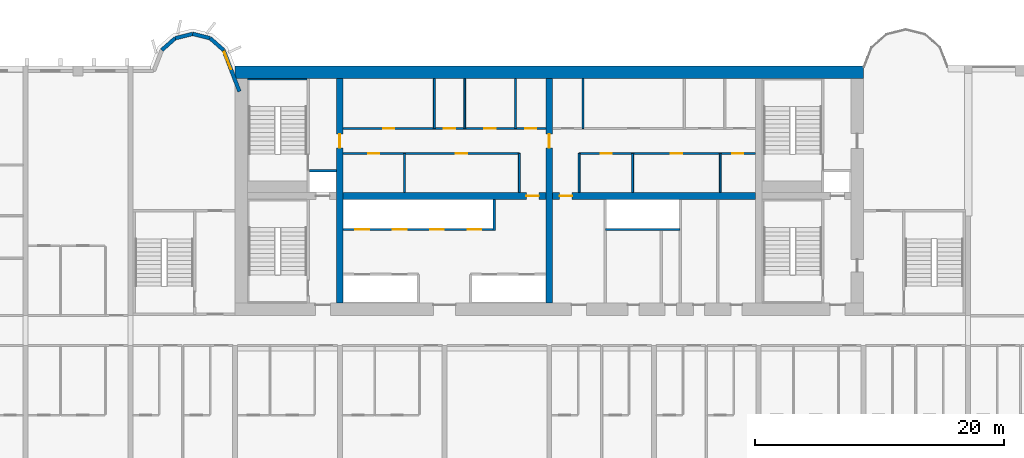
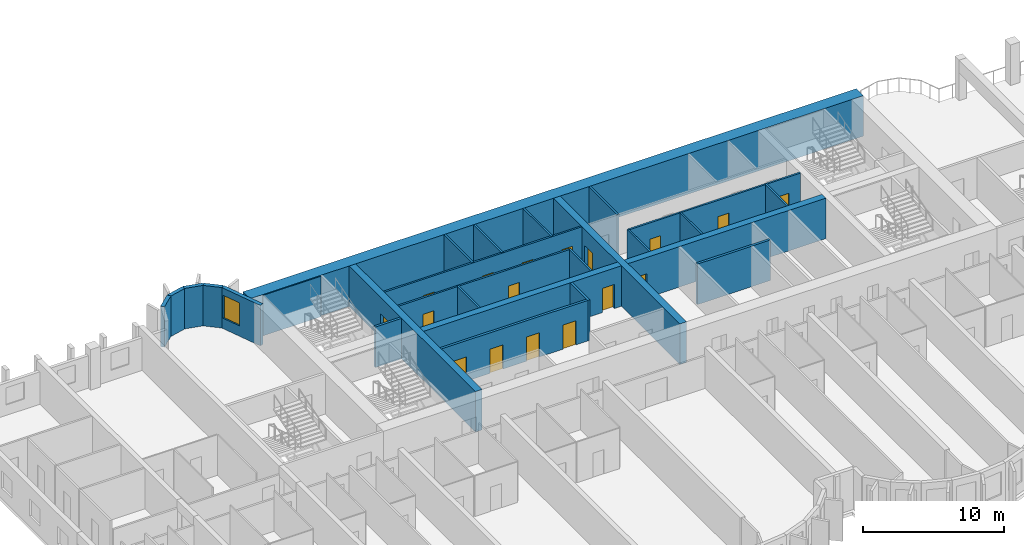
# One storey, part 7 of 14: 27 walls, 17 doors, 1 window, 18 openings.
"""IFC4 building model written with IfcOpenShell, lengths in metres."""

from ifc_helpers import new_model, si_unit, direction, frame, frame_2d, origin, place, context, subcontext, project, spatial, rectangle, extrude, source, transform, mapped, material, layer, layer_set, type_object, element, fill, save


model = new_model("IFC4")

# Units and contexts
model_context = context("Model", 3, precision=1e-05, world=origin(), true_north=direction((0.0, 1.0)))
body_context = subcontext(model_context, "Body", "Model", "MODEL_VIEW")
ifc_project = project(units=[si_unit("LENGTHUNIT", "METRE"), si_unit("AREAUNIT", "SQUARE_METRE"), si_unit("VOLUMEUNIT", "CUBIC_METRE"), si_unit("PLANEANGLEUNIT", "RADIAN"), si_unit("MASSUNIT", "GRAM", prefix="KILO")], contexts=[model_context])

# Site, building, storey
site_placement = place(None, origin())
site = spatial("IfcSite", under=ifc_project, at=site_placement, CompositionType="ELEMENT")
building_placement = place(site_placement, origin())
building = spatial("IfcBuilding", under=site, at=building_placement, Name="Vanashikhar Sky Hotel", CompositionType="ELEMENT")
storey_placement = place(building_placement, frame((0.0, 0.0, 58.199951171875)))
storey = spatial("IfcBuildingStorey", under=building, at=storey_placement, Name="L13", CompositionType="ELEMENT", Elevation=58.199951171875)

# Wall
ifc_material_1 = material(Name="Concrete M80", Category="concrete")
ifc_layer_1 = layer(ifc_material_1, 1.0)
ifc_layer_set_1 = layer_set([ifc_layer_1], Name="RC core shell wall 1000 Concrete M80")
wall_type_1 = type_object("IfcWallType", Name="RC core shell wall 1000 Concrete M80", PredefinedType="SHEAR", material=ifc_layer_set_1)
shared_shape_1 = source(origin(), body_context, "Body", "SweptSolid", [
    extrude(rectangle(XDim=50.400146484375, YDim=1.0, at=frame_2d((25.2001953125, 0.0))), origin(), (0.0, 0.0, 1.0), 3.52001953125),
])
wall_1_placement = place(storey_placement, frame((25.199951171875, 41.5, 0.0), z_axis=(0.0, 0.0, 1.0), x_axis=(1.0, 0.0, 0.0)))
element("IfcWall", 1, at=wall_1_placement, inside=storey, type_object=wall_type_1, Name="KW-L13-KN", PredefinedType="SHEAR", context=body_context, shape_type="MappedRepresentation", body=[
    mapped(shared_shape_1, transform((0.0, 0.0, 0.0), scale=1.0)),
])

# Wall, opening, door
ifc_layer_2 = layer(ifc_material_1, 0.550048828125)
ifc_layer_set_2 = layer_set([ifc_layer_2], Name="RC core inner wall 550 Concrete M80")
wall_type_2 = type_object("IfcWallType", Name="RC core inner wall 550 Concrete M80", PredefinedType="SHEAR", material=ifc_layer_set_2)
shared_shape_2 = source(origin(), body_context, "Body", "SweptSolid", [
    extrude(rectangle(XDim=18.0, YDim=0.550048828125, at=frame_2d((9.0, 0.0))), origin(), (0.0, 0.0, 1.0), 3.52001953125),
])
wall_2_placement = place(storey_placement, frame((33.60009765625, 23.0, 0.0), z_axis=(0.0, 0.0, 1.0), x_axis=(0.0, 1.0, 0.0)))
wall_2 = element("IfcWall", 2, at=wall_2_placement, inside=storey, type_object=wall_type_2, Name="KW-L13-KX1", PredefinedType="SHEAR", context=body_context, shape_type="MappedRepresentation", body=[
    mapped(shared_shape_2, transform((0.0, 0.0, 0.0), scale=1.0)),
])
shared_shape_3 = source(origin(), body_context, "Body", "SweptSolid", [
    extrude(rectangle(XDim=1.10009765625, YDim=2.10009765625, at=frame_2d((0.550048828125, 1.050048828125))), frame((0.0, 0.28515625, 0.0), z_axis=(0.0, -1.0, 0.0), x_axis=(1.0, 0.0, 0.0)), (0.0, 0.0, 1.0), 0.570068359375),
])
opening_1_placement = place(wall_2_placement, frame((12.449951171875, 0.0, 0.0)))
opening_1 = element("IfcOpeningElement", 3, at=opening_1_placement, cuts=wall_2, Name="Opening DC-4-C", PredefinedType="OPENING", context=body_context, shape_type="MappedRepresentation", body=[
    mapped(shared_shape_3, transform((0.0, 0.0, 0.0), scale=1.0)),
])
ifc_material_2 = material(Name="Steel", Category="steel")
door_type_1 = type_object("IfcDoorType", Name="Service door 1100 FD60", OperationType="NOTDEFINED", PredefinedType="DOOR", material=ifc_material_2)
shared_shape_4 = source(origin(), body_context, "Body", "SweptSolid", [
    extrude(rectangle(XDim=1.10009765625, YDim=2.10009765625, at=frame_2d((0.550048828125, 1.050048828125))), frame((0.0, 0.02490234375, 0.0), z_axis=(0.0, -1.0, 0.0), x_axis=(1.0, 0.0, 0.0)), (0.0, 0.0, 1.0), 0.050048828125),
])
door_1_placement = place(opening_1_placement, origin())
door_1 = element("IfcDoor", 4, at=door_1_placement, inside=storey, type_object=door_type_1, Name="Service door 1100 FD60", OperationType="SINGLE_SWING_RIGHT", OverallHeight=2.10009765625, OverallWidth=1.10009765625, PredefinedType="DOOR", context=body_context, shape_type="MappedRepresentation", body=[
    mapped(shared_shape_4, transform((0.0, 0.0, 0.0), scale=1.0)),
])
fill(opening_1, door_1)

wall_3_placement = place(storey_placement, frame((50.39990234375, 23.0, 0.0), z_axis=(0.0, 0.0, 1.0), x_axis=(0.0, 1.0, 0.0)))
wall_3 = element("IfcWall", 5, at=wall_3_placement, inside=storey, type_object=wall_type_2, Name="KW-L13-KX2", PredefinedType="SHEAR", context=body_context, shape_type="MappedRepresentation", body=[
    mapped(shared_shape_2, transform((0.0, 0.0, 0.0), scale=1.0)),
])
opening_2_placement = place(wall_3_placement, frame((12.449951171875, 0.0, 0.0)))
opening_2 = element("IfcOpeningElement", 6, at=opening_2_placement, cuts=wall_3, Name="Opening DC-4-C", PredefinedType="OPENING", context=body_context, shape_type="MappedRepresentation", body=[
    mapped(shared_shape_3, transform((0.0, 0.0, 0.0), scale=1.0)),
])
door_2_placement = place(opening_2_placement, origin())
door_2 = element("IfcDoor", 7, at=door_2_placement, inside=storey, type_object=door_type_1, Name="Service door 1100 FD60", OperationType="SINGLE_SWING_LEFT", OverallHeight=2.10009765625, OverallWidth=1.10009765625, PredefinedType="DOOR", context=body_context, shape_type="MappedRepresentation", body=[
    mapped(shared_shape_4, transform((0.0, 0.0, 0.0), scale=1.0)),
])
fill(opening_2, door_2)

shared_shape_5 = source(origin(), body_context, "Body", "SweptSolid", [
    extrude(rectangle(XDim=16.25, YDim=0.550048828125, at=frame_2d((8.125, 0.0))), origin(), (0.0, 0.0, 1.0), 3.52001953125),
])
wall_4_placement = place(storey_placement, frame((33.875, 31.60009765625, 0.0), z_axis=(0.0, 0.0, 1.0), x_axis=(1.0, 0.0, 0.0)))
wall_4 = element("IfcWall", 8, at=wall_4_placement, inside=storey, type_object=wall_type_2, Name="KW-L13-KY2", PredefinedType="SHEAR", context=body_context, shape_type="MappedRepresentation", body=[
    mapped(shared_shape_5, transform((0.0, 0.0, 0.0), scale=1.0)),
])
shared_shape_6 = source(origin(), body_context, "Body", "SweptSolid", [
    extrude(rectangle(XDim=1.0, YDim=2.10009765625, at=frame_2d((0.5, 1.050048828125))), frame((0.0, 0.28515625, 0.0), z_axis=(0.0, -1.0, 0.0), x_axis=(1.0, 0.0, 0.0)), (0.0, 0.0, 1.0), 0.570068359375),
])
opening_3_placement = place(wall_4_placement, frame((14.68701171875, 0.0, 0.0)))
opening_3 = element("IfcOpeningElement", 9, at=opening_3_placement, cuts=wall_4, Name="Opening DC-4", PredefinedType="OPENING", context=body_context, shape_type="MappedRepresentation", body=[
    mapped(shared_shape_6, transform((0.0, 0.0, 0.0), scale=1.0)),
])
door_type_2 = type_object("IfcDoorType", Name="Service door 1000 FD60", OperationType="NOTDEFINED", PredefinedType="DOOR", material=ifc_material_2)
shared_shape_7 = source(origin(), body_context, "Body", "SweptSolid", [
    extrude(rectangle(XDim=1.0, YDim=2.10009765625, at=frame_2d((0.5, 1.050048828125))), frame((0.0, 0.02490234375, 0.0), z_axis=(0.0, -1.0, 0.0), x_axis=(1.0, 0.0, 0.0)), (0.0, 0.0, 1.0), 0.050048828125),
])
door_3_placement = place(opening_3_placement, origin())
door_3 = element("IfcDoor", 10, at=door_3_placement, inside=storey, type_object=door_type_2, Name="Service door 1000 FD60", OperationType="SINGLE_SWING_LEFT", OverallHeight=2.10009765625, OverallWidth=1.0, PredefinedType="DOOR", context=body_context, shape_type="MappedRepresentation", body=[
    mapped(shared_shape_7, transform((0.0, 0.0, 0.0), scale=1.0)),
])
fill(opening_3, door_3)

wall_5_placement = place(storey_placement, frame((50.675048828125, 31.60009765625, 0.0), z_axis=(0.0, 0.0, 1.0), x_axis=(1.0, 0.0, 0.0)))
wall_5 = element("IfcWall", 11, at=wall_5_placement, inside=storey, type_object=wall_type_2, Name="KW-L13-KY3", PredefinedType="SHEAR", context=body_context, shape_type="MappedRepresentation", body=[
    mapped(shared_shape_5, transform((0.0, 0.0, 0.0), scale=1.0)),
])
opening_4_placement = place(wall_5_placement, frame((0.56201171875, 0.0, 0.0)))
opening_4 = element("IfcOpeningElement", 12, at=opening_4_placement, cuts=wall_5, Name="Opening DC-4", PredefinedType="OPENING", context=body_context, shape_type="MappedRepresentation", body=[
    mapped(shared_shape_6, transform((0.0, 0.0, 0.0), scale=1.0)),
])
door_4_placement = place(opening_4_placement, origin())
door_4 = element("IfcDoor", 13, at=door_4_placement, inside=storey, type_object=door_type_2, Name="Service door 1000 FD60", OperationType="SINGLE_SWING_LEFT", OverallHeight=2.10009765625, OverallWidth=1.0, PredefinedType="DOOR", context=body_context, shape_type="MappedRepresentation", body=[
    mapped(shared_shape_7, transform((0.0, 0.0, 0.0), scale=1.0)),
])
fill(opening_4, door_4)

# Wall, opening, window
ifc_material_3 = material(Name="Concrete M50", Category="concrete")
ifc_layer_3 = layer(ifc_material_3, 0.300048828125)
ifc_layer_set_3 = layer_set([ifc_layer_3], Name="Lobe wall 300")
wall_type_3 = type_object("IfcWallType", Name="Lobe wall 300", PredefinedType="SOLIDWALL", material=ifc_layer_set_3)
shared_shape_8 = source(origin(), body_context, "Body", "SweptSolid", [
    extrude(rectangle(XDim=3.55908203125, YDim=0.300048828125, at=frame_2d((1.779541015625, 0.0))), origin(), (0.0, 0.0, 1.0), 3.52001953125),
])
wall_6_placement = place(storey_placement, frame((25.550048828125, 39.968505859375, 0.0), z_axis=(0.0, 0.0, 1.0), x_axis=(-0.35779745313, 0.933799219604, 0.0)))
wall_6 = element("IfcWall", 14, at=wall_6_placement, inside=storey, type_object=wall_type_3, Name="Lobe wall", PredefinedType="SOLIDWALL", context=body_context, shape_type="MappedRepresentation", body=[
    mapped(shared_shape_8, transform((0.0, 0.0, 0.0), scale=1.0)),
])
shared_shape_9 = source(origin(), body_context, "Body", "SweptSolid", [
    extrude(rectangle(XDim=1.5, YDim=2.0, at=frame_2d((0.75, 1.0))), frame((0.0, 0.16015625, 0.0), z_axis=(0.0, -1.0, 0.0), x_axis=(1.0, 0.0, 0.0)), (0.0, 0.0, 1.0), 0.320068359375),
])
opening_5_placement = place(wall_6_placement, frame((1.9033203125, 0.0, 0.89990234375)))
opening_5 = element("IfcOpeningElement", 15, at=opening_5_placement, cuts=wall_6, Name="Opening WN-2", PredefinedType="OPENING", context=body_context, shape_type="MappedRepresentation", body=[
    mapped(shared_shape_9, transform((0.0, 0.0, 0.0), scale=1.0)),
])
ifc_material_4 = material(Name="Glass", Category="glass")
window_type = type_object("IfcWindowType", Name="Lobe window 1500 x 2000", PartitioningType="SINGLE_PANEL", PredefinedType="WINDOW", material=ifc_material_4)
shared_shape_10 = source(origin(), body_context, "Body", "SweptSolid", [
    extrude(rectangle(XDim=1.5, YDim=2.0, at=frame_2d((0.75, 1.0))), frame((0.0, 0.030029296875, 0.0), z_axis=(0.0, -1.0, 0.0), x_axis=(1.0, 0.0, 0.0)), (0.0, 0.0, 1.0), 0.06005859375),
])
window_placement = place(opening_5_placement, origin())
window = element("IfcWindow", 16, at=window_placement, inside=storey, type_object=window_type, Name="Window WN-2", OverallHeight=2.0, OverallWidth=1.5, PartitioningType="SINGLE_PANEL", PredefinedType="WINDOW", context=body_context, shape_type="MappedRepresentation", body=[
    mapped(shared_shape_10, transform((0.0, 0.0, 0.0), scale=1.0)),
])
fill(opening_5, window)

# Walls
shared_shape_11 = source(origin(), body_context, "Body", "SweptSolid", [
    extrude(rectangle(XDim=1.440185546875, YDim=0.300048828125, at=frame_2d((0.72021484375, 0.0))), origin(), (0.0, 0.0, 1.0), 3.52001953125),
])
wall_7_placement = place(storey_placement, frame((24.276611328125, 43.2919921875, 0.0), z_axis=(0.0, 0.0, 1.0), x_axis=(-0.749649827867, 0.661834673902, 0.0)))
element("IfcWall", 17, at=wall_7_placement, inside=storey, type_object=wall_type_3, Name="Lobe wall", PredefinedType="SOLIDWALL", context=body_context, shape_type="MappedRepresentation", body=[
    mapped(shared_shape_11, transform((0.0, 0.0, 0.0), scale=1.0)),
])
shared_shape_12 = source(origin(), body_context, "Body", "SweptSolid", [
    extrude(rectangle(XDim=1.4384765625, YDim=0.300048828125, at=frame_2d((0.71923828125, 0.0))), origin(), (0.0, 0.0, 1.0), 3.52001953125),
])
wall_8_placement = place(storey_placement, frame((23.197021484375, 44.2451171875, 0.0), z_axis=(0.0, 0.0, 1.0), x_axis=(-0.971152283879, 0.238460146601, 0.0)))
element("IfcWall", 18, at=wall_8_placement, inside=storey, type_object=wall_type_3, Name="Lobe wall", PredefinedType="SOLIDWALL", context=body_context, shape_type="MappedRepresentation", body=[
    mapped(shared_shape_12, transform((0.0, 0.0, 0.0), scale=1.0)),
])
shared_shape_13 = source(origin(), body_context, "Body", "SweptSolid", [
    extrude(rectangle(XDim=1.438720703125, YDim=0.300048828125, at=frame_2d((0.71923828125, 0.0))), origin(), (0.0, 0.0, 1.0), 3.52001953125),
])
wall_9_placement = place(storey_placement, frame((21.800048828125, 44.588134765625, 0.0), z_axis=(0.0, 0.0, 1.0), x_axis=(-0.971161932466, -0.238420848351, 0.0)))
element("IfcWall", 19, at=wall_9_placement, inside=storey, type_object=wall_type_3, Name="Lobe wall", PredefinedType="SOLIDWALL", context=body_context, shape_type="MappedRepresentation", body=[
    mapped(shared_shape_13, transform((0.0, 0.0, 0.0), scale=1.0)),
])
shared_shape_14 = source(origin(), body_context, "Body", "SweptSolid", [
    extrude(rectangle(XDim=1.43994140625, YDim=0.300048828125, at=frame_2d((0.719970703125, 0.0))), origin(), (0.0, 0.0, 1.0), 3.52001953125),
])
wall_10_placement = place(storey_placement, frame((20.40283203125, 44.2451171875, 0.0), z_axis=(0.0, 0.0, 1.0), x_axis=(-0.74957555648, -0.661918790432, 0.0)))
element("IfcWall", 20, at=wall_10_placement, inside=storey, type_object=wall_type_3, Name="Lobe wall", PredefinedType="SOLIDWALL", context=body_context, shape_type="MappedRepresentation", body=[
    mapped(shared_shape_14, transform((0.0, 0.0, 0.0), scale=1.0)),
])
ifc_material_5 = material(Name="Concrete M40", Category="concrete")
ifc_layer_4 = layer(ifc_material_5, 0.199951171875)
ifc_layer_set_4 = layer_set([ifc_layer_4], Name="Shaft wall 200")
wall_type_4 = type_object("IfcWallType", Name="Shaft wall 200", PredefinedType="SOLIDWALL", material=ifc_layer_set_4)
shared_shape_15 = source(origin(), body_context, "Body", "SweptSolid", [
    extrude(rectangle(XDim=6.0, YDim=0.199951171875, at=frame_2d((3.0, 0.0))), origin(), (0.0, 0.0, 1.0), 3.52001953125),
])
wall_11_placement = place(storey_placement, frame((60.89990234375, 28.89990234375, 0.0), z_axis=(0.0, 0.0, 1.0), x_axis=(-1.0, 0.0, 0.0)))
element("IfcWall", 21, at=wall_11_placement, inside=storey, type_object=wall_type_4, Name="Shaft wall 200", PredefinedType="SOLIDWALL", context=body_context, shape_type="MappedRepresentation", body=[
    mapped(shared_shape_15, transform((0.0, 0.0, 0.0), scale=1.0)),
])
ifc_layer_5 = layer(ifc_material_3, 0.10009765625)
ifc_layer_set_5 = layer_set([ifc_layer_5], Name="Stair infill wall 100")
wall_type_5 = type_object("IfcWallType", Name="Stair infill wall 100", PredefinedType="SOLIDWALL", material=ifc_layer_set_5)
shared_shape_16 = source(origin(), body_context, "Body", "SweptSolid", [
    extrude(rectangle(XDim=4.75, YDim=0.10009765625, at=frame_2d((2.375, 0.0))), origin(), (0.0, 0.0, 1.0), 3.52001953125),
])
wall_12_placement = place(storey_placement, frame((26.199951171875, 40.949951171875, 0.0), z_axis=(0.0, 0.0, 1.0), x_axis=(1.0, 0.0, 0.0)))
element("IfcWall", 22, at=wall_12_placement, inside=storey, type_object=wall_type_5, Name="Stair infill wall 100", PredefinedType="SOLIDWALL", context=body_context, shape_type="MappedRepresentation", body=[
    mapped(shared_shape_16, transform((0.0, 0.0, 0.0), scale=1.0)),
])

# Wall, openings, doors
shared_shape_17 = source(origin(), body_context, "Body", "SweptSolid", [
    extrude(rectangle(XDim=12.02490234375, YDim=0.199951171875, at=frame_2d((6.012451171875, 0.0))), origin(), (0.0, 0.0, 1.0), 3.52001953125),
])
wall_13_placement = place(storey_placement, frame((33.875, 28.89990234375, 0.0), z_axis=(0.0, 0.0, 1.0), x_axis=(1.0, 0.0, 0.0)))
wall_13 = element("IfcWall", 23, at=wall_13_placement, inside=storey, type_object=wall_type_4, Name="Shaft wall 200", PredefinedType="SOLIDWALL", context=body_context, shape_type="MappedRepresentation", body=[
    mapped(shared_shape_17, transform((0.0, 0.0, 0.0), scale=1.0)),
])
shared_shape_18 = source(origin(), body_context, "Body", "SweptSolid", [
    extrude(rectangle(XDim=1.10009765625, YDim=2.10009765625, at=frame_2d((0.550048828125, 1.050048828125))), frame((0.0, 0.10986328125, 0.0), z_axis=(0.0, -1.0, 0.0), x_axis=(1.0, 0.0, 0.0)), (0.0, 0.0, 1.0), 0.219970703125),
])
opening_6_placement = place(wall_13_placement, frame((0.97509765625, 0.0, 0.0)))
opening_6 = element("IfcOpeningElement", 24, at=opening_6_placement, cuts=wall_13, Name="Opening LD", PredefinedType="OPENING", context=body_context, shape_type="MappedRepresentation", body=[
    mapped(shared_shape_18, transform((0.0, 0.0, 0.0), scale=1.0)),
])
opening_7_placement = place(wall_13_placement, frame((3.97509765625, 0.0, 0.0)))
opening_7 = element("IfcOpeningElement", 25, at=opening_7_placement, cuts=wall_13, Name="Opening LD", PredefinedType="OPENING", context=body_context, shape_type="MappedRepresentation", body=[
    mapped(shared_shape_18, transform((0.0, 0.0, 0.0), scale=1.0)),
])
opening_8_placement = place(wall_13_placement, frame((6.97509765625, 0.0, 0.0)))
opening_8 = element("IfcOpeningElement", 26, at=opening_8_placement, cuts=wall_13, Name="Opening LD", PredefinedType="OPENING", context=body_context, shape_type="MappedRepresentation", body=[
    mapped(shared_shape_18, transform((0.0, 0.0, 0.0), scale=1.0)),
])
opening_9_placement = place(wall_13_placement, frame((9.97509765625, 0.0, 0.0)))
opening_9 = element("IfcOpeningElement", 27, at=opening_9_placement, cuts=wall_13, Name="Opening LD", PredefinedType="OPENING", context=body_context, shape_type="MappedRepresentation", body=[
    mapped(shared_shape_18, transform((0.0, 0.0, 0.0), scale=1.0)),
])
ifc_material_6 = material(Name="Stainless steel", Category="steel")
door_type_3 = type_object("IfcDoorType", Name="Lift landing door 1100", OperationType="NOTDEFINED", PredefinedType="DOOR", material=ifc_material_6)
door_5_placement = place(opening_6_placement, origin())
door_5 = element("IfcDoor", 28, at=door_5_placement, inside=storey, type_object=door_type_3, Name="Lift landing door 1100", OperationType="SLIDING_TO_LEFT", OverallHeight=2.10009765625, OverallWidth=1.10009765625, PredefinedType="DOOR", context=body_context, shape_type="MappedRepresentation", body=[
    mapped(shared_shape_4, transform((0.0, 0.0, 0.0), scale=1.0)),
])
fill(opening_6, door_5)
door_6_placement = place(opening_7_placement, origin())
door_6 = element("IfcDoor", 29, at=door_6_placement, inside=storey, type_object=door_type_3, Name="Lift landing door 1100", OperationType="SLIDING_TO_RIGHT", OverallHeight=2.10009765625, OverallWidth=1.10009765625, PredefinedType="DOOR", context=body_context, shape_type="MappedRepresentation", body=[
    mapped(shared_shape_4, transform((0.0, 0.0, 0.0), scale=1.0)),
])
fill(opening_7, door_6)
door_7_placement = place(opening_8_placement, origin())
door_7 = element("IfcDoor", 30, at=door_7_placement, inside=storey, type_object=door_type_3, Name="Lift landing door 1100", OperationType="SLIDING_TO_LEFT", OverallHeight=2.10009765625, OverallWidth=1.10009765625, PredefinedType="DOOR", context=body_context, shape_type="MappedRepresentation", body=[
    mapped(shared_shape_4, transform((0.0, 0.0, 0.0), scale=1.0)),
])
fill(opening_8, door_7)
door_8_placement = place(opening_9_placement, origin())
door_8 = element("IfcDoor", 31, at=door_8_placement, inside=storey, type_object=door_type_3, Name="Lift landing door 1100", OperationType="SLIDING_TO_RIGHT", OverallHeight=2.10009765625, OverallWidth=1.10009765625, PredefinedType="DOOR", context=body_context, shape_type="MappedRepresentation", body=[
    mapped(shared_shape_4, transform((0.0, 0.0, 0.0), scale=1.0)),
])
fill(opening_9, door_8)

# Walls
shared_shape_19 = source(origin(), body_context, "Body", "SweptSolid", [
    extrude(rectangle(XDim=2.52490234375, YDim=0.199951171875, at=frame_2d((1.262451171875, 0.0))), origin(), (0.0, 0.0, 1.0), 3.52001953125),
])
wall_14_placement = place(storey_placement, frame((46.0, 28.800048828125, 0.0), z_axis=(0.0, 0.0, 1.0), x_axis=(0.0, 1.0, 0.0)))
element("IfcWall", 32, at=wall_14_placement, inside=storey, type_object=wall_type_4, Name="Shaft wall 200", PredefinedType="SOLIDWALL", context=body_context, shape_type="MappedRepresentation", body=[
    mapped(shared_shape_19, transform((0.0, 0.0, 0.0), scale=1.0)),
])
ifc_material_7 = material(Name="Gypsum board partition")
ifc_layer_6 = layer(ifc_material_7, 0.14990234375)
ifc_layer_set_6 = layer_set([ifc_layer_6], Name="Service partition 150")
wall_type_6 = type_object("IfcWallType", Name="Service partition 150", PredefinedType="PARTITIONING", material=ifc_layer_set_6)
shared_shape_20 = source(origin(), body_context, "Body", "SweptSolid", [
    extrude(rectangle(XDim=3.125, YDim=0.14990234375, at=frame_2d((1.5625, 0.0))), origin(), (0.0, 0.0, 1.0), 3.52001953125),
])
for number, where, z_axis, x_axis, name in (
    (33, (48.0, 31.875, 0.0), (0.0, 0.0, 1.0), (0.0, 1.0, 0.0), "Service partition 150"),
    (34, (38.7919921875, 31.875, 0.0), (0.0, 0.0, 1.0), (0.0, 1.0, 0.0), "Service partition 150"),
    (35, (52.800048828125, 31.875, 0.0), (0.0, 0.0, 1.0), (0.0, 1.0, 0.0), "Service partition 150"),
    (36, (64.114990234375, 31.875, 0.0), (0.0, 0.0, 1.0), (0.0, 1.0, 0.0), "Service partition 150"),
    (37, (57.090087890625, 31.875, 0.0), (0.0, 0.0, 1.0), (0.0, 1.0, 0.0), "Service partition 150"),
):
    element("IfcWall", number, at=place(storey_placement, frame(where, z_axis=z_axis, x_axis=x_axis)), inside=storey, type_object=wall_type_6, Name=name, PredefinedType="PARTITIONING", context=body_context, shape_type="MappedRepresentation", body=[
        mapped(shared_shape_20, transform((0.0, 0.0, 0.0), scale=1.0)),
    ])

# Wall, openings, doors
shared_shape_21 = source(origin(), body_context, "Body", "SweptSolid", [
    extrude(rectangle(XDim=14.125, YDim=0.14990234375, at=frame_2d((7.0625, 0.0))), origin(), (0.0, 0.0, 1.0), 3.52001953125),
])
wall_15_placement = place(storey_placement, frame((33.875, 35.0, 0.0), z_axis=(0.0, 0.0, 1.0), x_axis=(1.0, 0.0, 0.0)))
wall_15 = element("IfcWall", 38, at=wall_15_placement, inside=storey, type_object=wall_type_6, Name="Service partition 150", PredefinedType="PARTITIONING", context=body_context, shape_type="MappedRepresentation", body=[
    mapped(shared_shape_21, transform((0.0, 0.0, 0.0), scale=1.0)),
])
shared_shape_22 = source(origin(), body_context, "Body", "SweptSolid", [
    extrude(rectangle(XDim=0.89990234375, YDim=2.10009765625, at=frame_2d((0.449951171875, 1.050048828125))), frame((0.0, 0.0849609375, 0.0), z_axis=(0.0, -1.0, 0.0), x_axis=(1.0, 0.0, 0.0)), (0.0, 0.0, 1.0), 0.169921875),
])
opening_10_placement = place(wall_15_placement, frame((2.009033203125, 0.0, 0.0)))
opening_10 = element("IfcOpeningElement", 39, at=opening_10_placement, cuts=wall_15, Name="Opening DC-4-A", PredefinedType="OPENING", context=body_context, shape_type="MappedRepresentation", body=[
    mapped(shared_shape_22, transform((0.0, 0.0, 0.0), scale=1.0)),
])
opening_11_placement = place(wall_15_placement, frame((9.033935546875, 0.0, 0.0)))
opening_11 = element("IfcOpeningElement", 40, at=opening_11_placement, cuts=wall_15, Name="Opening DC-4-A", PredefinedType="OPENING", context=body_context, shape_type="MappedRepresentation", body=[
    mapped(shared_shape_22, transform((0.0, 0.0, 0.0), scale=1.0)),
])
door_type_4 = type_object("IfcDoorType", Name="Service door 900 FD60", OperationType="NOTDEFINED", PredefinedType="DOOR", material=ifc_material_2)
shared_shape_23 = source(origin(), body_context, "Body", "SweptSolid", [
    extrude(rectangle(XDim=0.89990234375, YDim=2.10009765625, at=frame_2d((0.449951171875, 1.050048828125))), frame((0.0, 0.02490234375, 0.0), z_axis=(0.0, -1.0, 0.0), x_axis=(1.0, 0.0, 0.0)), (0.0, 0.0, 1.0), 0.050048828125),
])
door_9_placement = place(opening_10_placement, origin())
door_9 = element("IfcDoor", 41, at=door_9_placement, inside=storey, type_object=door_type_4, Name="Service door 900 FD60", OperationType="SINGLE_SWING_RIGHT", OverallHeight=2.10009765625, OverallWidth=0.89990234375, PredefinedType="DOOR", context=body_context, shape_type="MappedRepresentation", body=[
    mapped(shared_shape_23, transform((0.0, 0.0, 0.0), scale=1.0)),
])
fill(opening_10, door_9)
door_10_placement = place(opening_11_placement, origin())
door_10 = element("IfcDoor", 42, at=door_10_placement, inside=storey, type_object=door_type_4, Name="Service door 900 FD60", OperationType="SINGLE_SWING_RIGHT", OverallHeight=2.10009765625, OverallWidth=0.89990234375, PredefinedType="DOOR", context=body_context, shape_type="MappedRepresentation", body=[
    mapped(shared_shape_23, transform((0.0, 0.0, 0.0), scale=1.0)),
])
fill(opening_11, door_10)

wall_16_placement = place(storey_placement, frame((66.925048828125, 35.0, 0.0), z_axis=(0.0, 0.0, 1.0), x_axis=(-1.0, 0.0, 0.0)))
wall_16 = element("IfcWall", 43, at=wall_16_placement, inside=storey, type_object=wall_type_6, Name="Service partition 150", PredefinedType="PARTITIONING", context=body_context, shape_type="MappedRepresentation", body=[
    mapped(shared_shape_21, transform((0.0, 0.0, 0.0), scale=1.0)),
])
opening_12_placement = place(wall_16_placement, frame((0.955078125, 0.0, 0.0)))
opening_12 = element("IfcOpeningElement", 44, at=opening_12_placement, cuts=wall_16, Name="Opening DC-4-A", PredefinedType="OPENING", context=body_context, shape_type="MappedRepresentation", body=[
    mapped(shared_shape_22, transform((0.0, 0.0, 0.0), scale=1.0)),
])
opening_13_placement = place(wall_16_placement, frame((5.873046875, 0.0, 0.0)))
opening_13 = element("IfcOpeningElement", 45, at=opening_13_placement, cuts=wall_16, Name="Opening DC-4-A", PredefinedType="OPENING", context=body_context, shape_type="MappedRepresentation", body=[
    mapped(shared_shape_22, transform((0.0, 0.0, 0.0), scale=1.0)),
])
opening_14_placement = place(wall_16_placement, frame((11.491943359375, 0.0, 0.0)))
opening_14 = element("IfcOpeningElement", 46, at=opening_14_placement, cuts=wall_16, Name="Opening DC-4-A", PredefinedType="OPENING", context=body_context, shape_type="MappedRepresentation", body=[
    mapped(shared_shape_22, transform((0.0, 0.0, 0.0), scale=1.0)),
])
door_11_placement = place(opening_12_placement, origin())
door_11 = element("IfcDoor", 47, at=door_11_placement, inside=storey, type_object=door_type_4, Name="Service door 900 FD60", OperationType="SINGLE_SWING_RIGHT", OverallHeight=2.10009765625, OverallWidth=0.89990234375, PredefinedType="DOOR", context=body_context, shape_type="MappedRepresentation", body=[
    mapped(shared_shape_23, transform((0.0, 0.0, 0.0), scale=1.0)),
])
fill(opening_12, door_11)
door_12_placement = place(opening_13_placement, origin())
door_12 = element("IfcDoor", 48, at=door_12_placement, inside=storey, type_object=door_type_4, Name="Service door 900 FD60", OperationType="SINGLE_SWING_RIGHT", OverallHeight=2.10009765625, OverallWidth=0.89990234375, PredefinedType="DOOR", context=body_context, shape_type="MappedRepresentation", body=[
    mapped(shared_shape_23, transform((0.0, 0.0, 0.0), scale=1.0)),
])
fill(opening_13, door_12)
door_13_placement = place(opening_14_placement, origin())
door_13 = element("IfcDoor", 49, at=door_13_placement, inside=storey, type_object=door_type_4, Name="Service door 900 FD60", OperationType="SINGLE_SWING_LEFT", OverallHeight=2.10009765625, OverallWidth=0.89990234375, PredefinedType="DOOR", context=body_context, shape_type="MappedRepresentation", body=[
    mapped(shared_shape_23, transform((0.0, 0.0, 0.0), scale=1.0)),
])
fill(opening_14, door_13)

shared_shape_24 = source(origin(), body_context, "Body", "SweptSolid", [
    extrude(rectangle(XDim=16.25, YDim=0.14990234375, at=frame_2d((8.125, 0.0))), origin(), (0.0, 0.0, 1.0), 3.52001953125),
])
wall_17_placement = place(storey_placement, frame((33.875, 37.0, 0.0), z_axis=(0.0, 0.0, 1.0), x_axis=(1.0, 0.0, 0.0)))
wall_17 = element("IfcWall", 50, at=wall_17_placement, inside=storey, type_object=wall_type_6, Name="Service partition 150", PredefinedType="PARTITIONING", context=body_context, shape_type="MappedRepresentation", body=[
    mapped(shared_shape_24, transform((0.0, 0.0, 0.0), scale=1.0)),
])
opening_15_placement = place(wall_17_placement, frame((3.2060546875, 0.0, 0.0)))
opening_15 = element("IfcOpeningElement", 51, at=opening_15_placement, cuts=wall_17, Name="Opening DC-4-A", PredefinedType="OPENING", context=body_context, shape_type="MappedRepresentation", body=[
    mapped(shared_shape_22, transform((0.0, 0.0, 0.0), scale=1.0)),
])
opening_16_placement = place(wall_17_placement, frame((8.0810546875, 0.0, 0.0)))
opening_16 = element("IfcOpeningElement", 52, at=opening_16_placement, cuts=wall_17, Name="Opening DC-4-A", PredefinedType="OPENING", context=body_context, shape_type="MappedRepresentation", body=[
    mapped(shared_shape_22, transform((0.0, 0.0, 0.0), scale=1.0)),
])
opening_17_placement = place(wall_17_placement, frame((11.3310546875, 0.0, 0.0)))
opening_17 = element("IfcOpeningElement", 53, at=opening_17_placement, cuts=wall_17, Name="Opening DC-4-A", PredefinedType="OPENING", context=body_context, shape_type="MappedRepresentation", body=[
    mapped(shared_shape_22, transform((0.0, 0.0, 0.0), scale=1.0)),
])
opening_18_placement = place(wall_17_placement, frame((14.5810546875, 0.0, 0.0)))
opening_18 = element("IfcOpeningElement", 54, at=opening_18_placement, cuts=wall_17, Name="Opening DC-4-A", PredefinedType="OPENING", context=body_context, shape_type="MappedRepresentation", body=[
    mapped(shared_shape_22, transform((0.0, 0.0, 0.0), scale=1.0)),
])
door_14_placement = place(opening_15_placement, origin())
door_14 = element("IfcDoor", 55, at=door_14_placement, inside=storey, type_object=door_type_4, Name="Service door 900 FD60", OperationType="SINGLE_SWING_RIGHT", OverallHeight=2.10009765625, OverallWidth=0.89990234375, PredefinedType="DOOR", context=body_context, shape_type="MappedRepresentation", body=[
    mapped(shared_shape_23, transform((0.0, 0.0, 0.0), scale=1.0)),
])
fill(opening_15, door_14)
door_15_placement = place(opening_16_placement, origin())
door_15 = element("IfcDoor", 56, at=door_15_placement, inside=storey, type_object=door_type_4, Name="Service door 900 FD60", OperationType="SINGLE_SWING_RIGHT", OverallHeight=2.10009765625, OverallWidth=0.89990234375, PredefinedType="DOOR", context=body_context, shape_type="MappedRepresentation", body=[
    mapped(shared_shape_23, transform((0.0, 0.0, 0.0), scale=1.0)),
])
fill(opening_16, door_15)
door_16_placement = place(opening_17_placement, origin())
door_16 = element("IfcDoor", 57, at=door_16_placement, inside=storey, type_object=door_type_4, Name="Service door 900 FD60", OperationType="SINGLE_SWING_RIGHT", OverallHeight=2.10009765625, OverallWidth=0.89990234375, PredefinedType="DOOR", context=body_context, shape_type="MappedRepresentation", body=[
    mapped(shared_shape_23, transform((0.0, 0.0, 0.0), scale=1.0)),
])
fill(opening_17, door_16)
door_17_placement = place(opening_18_placement, origin())
door_17 = element("IfcDoor", 58, at=door_17_placement, inside=storey, type_object=door_type_4, Name="Service door 900 FD60", OperationType="SINGLE_SWING_LEFT", OverallHeight=2.10009765625, OverallWidth=0.89990234375, PredefinedType="DOOR", context=body_context, shape_type="MappedRepresentation", body=[
    mapped(shared_shape_23, transform((0.0, 0.0, 0.0), scale=1.0)),
])
fill(opening_18, door_17)

# Walls
shared_shape_25 = source(origin(), body_context, "Body", "SweptSolid", [
    extrude(rectangle(XDim=4.0, YDim=0.14990234375, at=frame_2d((2.0, 0.0))), origin(), (0.0, 0.0, 1.0), 3.52001953125),
])
for number, where, z_axis, x_axis, name in (
    (59, (41.18798828125, 37.0, 0.0), (0.0, 0.0, 1.0), (0.0, 1.0, 0.0), "Service partition 150"),
    (60, (43.625, 37.0, 0.0), (0.0, 0.0, 1.0), (0.0, 1.0, 0.0), "Service partition 150"),
    (61, (47.68798828125, 37.0, 0.0), (0.0, 0.0, 1.0), (0.0, 1.0, 0.0), "Service partition 150"),
    (62, (53.112060546875, 37.0, 0.0), (0.0, 0.0, 1.0), (0.0, 1.0, 0.0), "Service partition 150"),
):
    element("IfcWall", number, at=place(storey_placement, frame(where, z_axis=z_axis, x_axis=x_axis)), inside=storey, type_object=wall_type_6, Name=name, PredefinedType="PARTITIONING", context=body_context, shape_type="MappedRepresentation", body=[
        mapped(shared_shape_25, transform((0.0, 0.0, 0.0), scale=1.0)),
    ])
shared_shape_26 = source(origin(), body_context, "Body", "SweptSolid", [
    extrude(rectangle(XDim=2.175048828125, YDim=0.199951171875, at=frame_2d((1.08740234375, 0.0))), origin(), (0.0, 0.0, 1.0), 3.52001953125),
])
wall_18_placement = place(storey_placement, frame((31.14990234375, 33.60009765625, 0.0), z_axis=(0.0, 0.0, 1.0), x_axis=(1.0, 0.0, 0.0)))
element("IfcWall", 63, at=wall_18_placement, inside=storey, type_object=wall_type_4, Name="Shaft wall 200", PredefinedType="SOLIDWALL", context=body_context, shape_type="MappedRepresentation", body=[
    mapped(shared_shape_26, transform((0.0, 0.0, 0.0), scale=1.0)),
])

save(model, "model.ifc")
